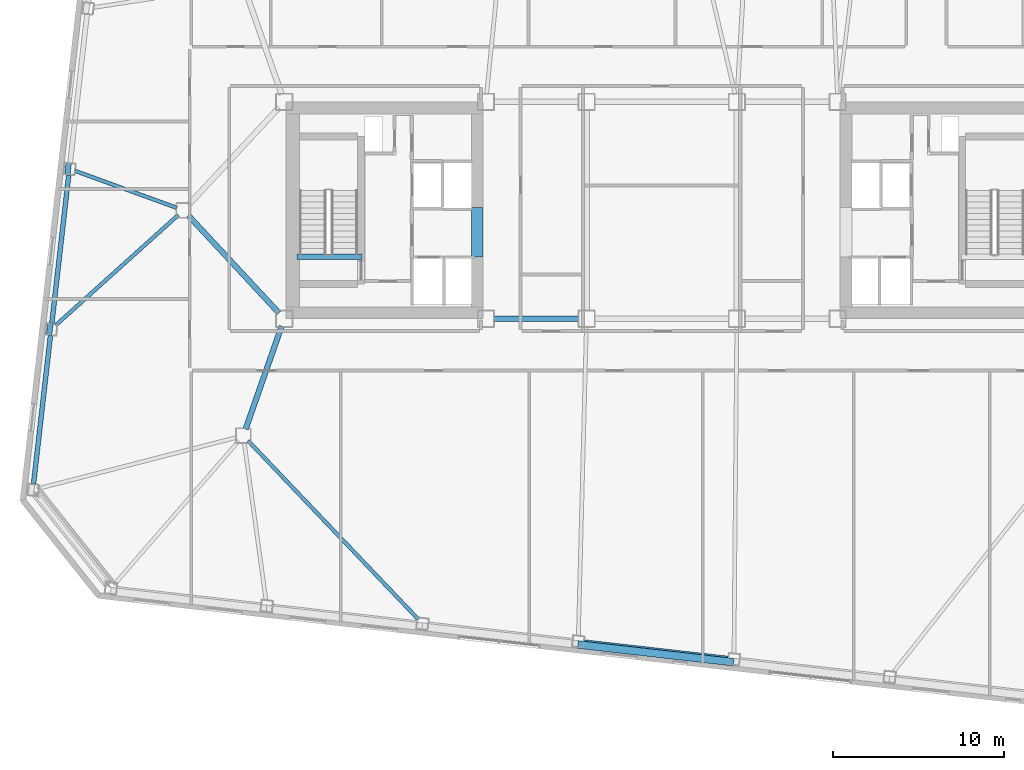
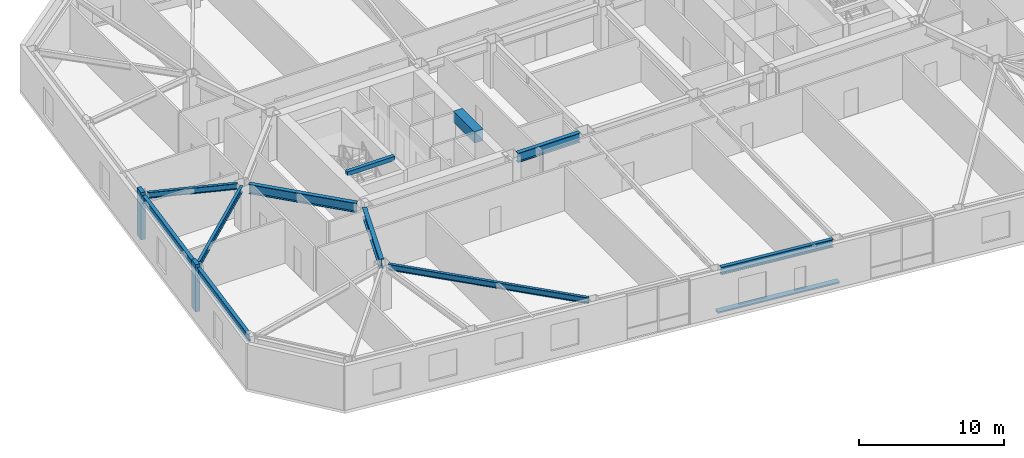
# One storey, part 5 of 21: 11 beams, 3 members.
"""IFC4 building model written with IfcOpenShell, lengths in metres."""

from ifc_helpers import new_model, si_unit, direction, frame, origin, origin_2d, place, context, subcontext, project, spatial, rectangle, i_section, extrude, material, material_profile, profile_set, type_object, element, save


model = new_model("IFC4")

# Units and contexts
model_context = context("Model", 3, precision=1e-05, world=origin(), true_north=direction((0.0, 1.0)))
body_context = subcontext(model_context, "Body", "Model", "MODEL_VIEW")
ifc_project = project(units=[si_unit("LENGTHUNIT", "METRE"), si_unit("AREAUNIT", "SQUARE_METRE"), si_unit("VOLUMEUNIT", "CUBIC_METRE"), si_unit("PLANEANGLEUNIT", "RADIAN"), si_unit("MASSUNIT", "GRAM", prefix="KILO")], contexts=[model_context])

# Site, building, storey
site_placement = place(None, origin())
site = spatial("IfcSite", under=ifc_project, at=site_placement, CompositionType="ELEMENT")
building_placement = place(site_placement, origin())
building = spatial("IfcBuilding", under=site, at=building_placement, Name="Tavrogorsk Clinical Tower", CompositionType="ELEMENT")
storey_placement = place(building_placement, frame((0.0, 0.0, 121.39990234375)))
storey = spatial("IfcBuildingStorey", under=building, at=storey_placement, Name="L27", CompositionType="ELEMENT", Elevation=121.39990234375)

# Member
ifc_material_1 = material(Name="Anodised aluminium alloy AW-6063", Category="aluminium")
ifc_material_profile_1 = material_profile(ifc_material_1, rectangle(XDim=0.449951171875, YDim=0.1201171875, at=origin_2d()), Name="ALU-SUNSHADE-450x120")
ifc_profile_set_1 = profile_set([ifc_material_profile_1], Name="Anodised aluminium alloy AW-6063")
member_type_1 = type_object("IfcMemberType", Name="ChicagoSunshade_450x120", PredefinedType="USERDEFINED", material=ifc_profile_set_1)
member_placement = place(storey_placement, frame((-4.909912109375, -25.42431640625, 0.18017578125), z_axis=(0.993572654864, -0.113196199166, 0.0), x_axis=(0.113196199166, 0.993572654864, 0.0)))
element("IfcMember", 1, at=member_placement, inside=storey, type_object=member_type_1, Name="L27 South Aluminium Sunshade S4", ObjectType="SUNSHADE", PredefinedType="USERDEFINED", context=body_context, shape_type="SweptSolid", body=[
    extrude(rectangle(XDim=0.449951171875, YDim=0.1201171875, at=origin_2d()), origin(), (0.0, 0.0, 1.0), 9.17724609375),
])

# Beams
ifc_material_2 = material(Name="Concrete B80", Category="concrete")
ifc_material_profile_2 = material_profile(ifc_material_2, rectangle(XDim=0.699951171875, YDim=0.949951171875, at=origin_2d()), Name="RC-CB-700x950")
ifc_profile_set_2 = profile_set([ifc_material_profile_2], Name="Concrete B80")
beam_type_1 = type_object("IfcBeamType", Name="CouplingBeam_RC700x950", PredefinedType="LINTEL", material=ifc_profile_set_2)
beam_1_placement = place(storey_placement, frame((-10.800048828125, -2.75, 3.26513671875), z_axis=(0.0, 1.0, 0.0), x_axis=(-1.0, 0.0, 0.0)))
element("IfcBeam", 2, at=beam_1_placement, inside=storey, type_object=beam_type_1, Name="L27 Core West Coupling Beam", PredefinedType="LINTEL", context=body_context, shape_type="SweptSolid", body=[
    extrude(rectangle(XDim=0.699951171875, YDim=0.949951171875, at=origin_2d()), origin(), (0.0, 0.0, 1.0), 2.89990234375),
])
ifc_material_3 = material(Name="Structural steel S355", Category="steel")
ifc_material_profile_3 = material_profile(ifc_material_3, i_section(OverallWidth=0.219970703125, OverallDepth=0.5, WebThickness=0.012939453125, FlangeThickness=0.02001953125, at=origin_2d()), Name="B-500x220x13x20")
ifc_profile_set_3 = profile_set([ifc_material_profile_3], Name="Structural steel S355")
beam_type_2 = type_object("IfcBeamType", Name="FloorBeam_B500", PredefinedType="BEAM", material=ifc_profile_set_3)
beam_2_placement = place(storey_placement, frame((-24.217041015625, -13.496826171875, 3.489990234375), z_axis=(0.689995410805, -0.723813741972, 0.0), x_axis=(0.723813741972, 0.689995410805, 0.0)))
element("IfcBeam", 3, at=beam_2_placement, inside=storey, type_object=beam_type_2, Name="L27 Radial Floor Beam S3", PredefinedType="BEAM", context=body_context, shape_type="SweptSolid", body=[
    extrude(i_section(OverallWidth=0.219970703125, OverallDepth=0.5, WebThickness=0.012939453125, FlangeThickness=0.02001953125, at=origin_2d()), origin(), (0.0, 0.0, 1.0), 14.4384765625),
])
beam_3_placement = place(storey_placement, frame((-28.385498046875, 0.139892578125, 3.489990234375), z_axis=(-0.939993443432, 0.341192506225, 0.0), x_axis=(-0.341192506225, -0.939993443432, 0.0)))
element("IfcBeam", 4, at=beam_3_placement, inside=storey, type_object=beam_type_2, Name="L27 Radial Floor Beam W3", PredefinedType="BEAM", context=body_context, shape_type="SweptSolid", body=[
    extrude(i_section(OverallWidth=0.219970703125, OverallDepth=0.5, WebThickness=0.012939453125, FlangeThickness=0.02001953125, at=origin_2d()), origin(), (0.0, 0.0, 1.0), 6.33837890625),
])
beam_4_placement = place(storey_placement, frame((-28.3046875, -0.274169921875, 3.489990234375), z_axis=(-0.743369550828, -0.668880939257, 0.0), x_axis=(0.668880939257, -0.743369550828, 0.0)))
element("IfcBeam", 5, at=beam_4_placement, inside=storey, type_object=beam_type_2, Name="L27 Radial Floor Beam W4", PredefinedType="BEAM", context=body_context, shape_type="SweptSolid", body=[
    extrude(i_section(OverallWidth=0.219970703125, OverallDepth=0.5, WebThickness=0.012939453125, FlangeThickness=0.02001953125, at=origin_2d()), origin(), (0.0, 0.0, 1.0), 9.658935546875),
])

# Members
ifc_material_4 = material(Name="Precast concrete B45 with limestone cladding", Category="masonry")
ifc_material_profile_4 = material_profile(ifc_material_4, rectangle(XDim=0.320068359375, YDim=0.719970703125, at=origin_2d()), Name="LIMESTONE-FIN-320x720")
ifc_profile_set_4 = profile_set([ifc_material_profile_4], Name="Precast concrete B45 with limestone cladding")
member_type_2 = type_object("IfcMemberType", Name="LimestonePleatFin_320x720", PredefinedType="USERDEFINED", material=ifc_profile_set_4)
for number, where, z_axis, x_axis, name in (
    (6, (-34.759521484375, 2.433837890625, 0.0), (0.0, 0.0, 1.0), (0.993571855677, -0.113203213768, 0.0), "L27 W Pleated Stone Fin 2"),
    (7, (-35.83056640625, -6.96533203125, 0.0), (0.0, 0.0, 1.0), (0.993571855677, -0.113203213768, 0.0), "L27 W Pleated Stone Fin 3"),
):
    element("IfcMember", number, at=place(storey_placement, frame(where, z_axis=z_axis, x_axis=x_axis)), inside=storey, type_object=member_type_2, Name=name, ObjectType="FIN", PredefinedType="USERDEFINED", context=body_context, shape_type="SweptSolid", body=[
        extrude(rectangle(XDim=0.320068359375, YDim=0.719970703125, at=origin_2d()), origin(), (0.0, 0.0, 1.0), 4.0),
    ])

# Beams
ifc_material_5 = material(Name="Structural steel S390", Category="steel")
ifc_material_profile_5 = material_profile(ifc_material_5, i_section(OverallWidth=0.320068359375, OverallDepth=0.800048828125, WebThickness=0.02001953125, FlangeThickness=0.033935546875, at=origin_2d()), Name="B-800x320x20x34")
ifc_profile_set_5 = profile_set([ifc_material_profile_5], Name="Structural steel S390")
beam_type_3 = type_object("IfcBeamType", Name="PrimaryGirder_B800", PredefinedType="USERDEFINED", material=ifc_profile_set_5)
beam_5_placement = place(storey_placement, frame((-9.840087890625, -6.35009765625, 3.340087890625), z_axis=(1.0, 0.0, 0.0), x_axis=(0.0, 1.0, 0.0)))
element("IfcBeam", 8, at=beam_5_placement, inside=storey, type_object=beam_type_3, Name="L27 Primary Spine Girder MG-01", ObjectType="GIRDER", PredefinedType="USERDEFINED", context=body_context, shape_type="SweptSolid", body=[
    extrude(i_section(OverallWidth=0.320068359375, OverallDepth=0.800048828125, WebThickness=0.02001953125, FlangeThickness=0.033935546875, at=origin_2d()), origin(), (0.0, 0.0, 1.0), 4.97998046875),
])
beam_6_placement = place(storey_placement, frame((-24.364501953125, -12.81298828125, 3.340087890625), z_axis=(0.330660234815, 0.943749865755, 0.0), x_axis=(-0.943749865755, 0.330660234815, 0.0)))
element("IfcBeam", 9, at=beam_6_placement, inside=storey, type_object=beam_type_3, Name="L27 Spine Link Girder OPG-1", ObjectType="GIRDER", PredefinedType="USERDEFINED", context=body_context, shape_type="SweptSolid", body=[
    extrude(i_section(OverallWidth=0.320068359375, OverallDepth=0.800048828125, WebThickness=0.02001953125, FlangeThickness=0.033935546875, at=origin_2d()), origin(), (0.0, 0.0, 1.0), 6.38818359375),
])
beam_7_placement = place(storey_placement, frame((-27.720947265625, -0.30029296875, 3.340087890625), z_axis=(0.680675630035, -0.732584934787, 0.0), x_axis=(0.732584934787, 0.680675630035, 0.0)))
element("IfcBeam", 10, at=beam_7_placement, inside=storey, type_object=beam_type_3, Name="L27 Spine Link Girder OPG-5", ObjectType="GIRDER", PredefinedType="USERDEFINED", context=body_context, shape_type="SweptSolid", body=[
    extrude(i_section(OverallWidth=0.320068359375, OverallDepth=0.800048828125, WebThickness=0.02001953125, FlangeThickness=0.033935546875, at=origin_2d()), origin(), (0.0, 0.0, 1.0), 7.7978515625),
])
ifc_material_6 = material(Name="Structural steel S390", Category="steel")
ifc_material_profile_6 = material_profile(ifc_material_6, i_section(OverallWidth=0.280029296875, OverallDepth=0.64990234375, WebThickness=0.01611328125, FlangeThickness=0.02490234375, at=origin_2d()), Name="B-650x280x16x25")
ifc_profile_set_6 = profile_set([ifc_material_profile_6], Name="Structural steel S390")
beam_type_4 = type_object("IfcBeamType", Name="SpandrelBeam_B650", PredefinedType="SPANDREL", material=ifc_profile_set_6)
beam_8_placement = place(storey_placement, frame((-4.533935546875, -25.2861328125, 3.4150390625), z_axis=(0.993572695356, -0.113195843756, 0.0), x_axis=(0.113195843756, 0.993572695356, 0.0)))
element("IfcBeam", 11, at=beam_8_placement, inside=storey, type_object=beam_type_4, Name="L27 Perimeter Spandrel S4-S5", PredefinedType="SPANDREL", context=body_context, shape_type="SweptSolid", body=[
    extrude(i_section(OverallWidth=0.280029296875, OverallDepth=0.64990234375, WebThickness=0.01611328125, FlangeThickness=0.02490234375, at=origin_2d()), origin(), (0.0, 0.0, 1.0), 8.461181640625),
])
for number, where, z_axis, x_axis, name in (
    (12, (-34.720703125, 2.069091796875, 3.4150390625), (-0.113192226434, -0.993573107464, 0.0), (0.993573107464, -0.113192226434, 0.0), "L27 Perimeter Spandrel W3-W4"),
    (13, (-35.79150390625, -7.330078125, 3.4150390625), (-0.113192226434, -0.993573107464, 0.0), (0.993573107464, -0.113192226434, 0.0), "L27 Perimeter Spandrel W4-W5"),
):
    element("IfcBeam", number, at=place(storey_placement, frame(where, z_axis=z_axis, x_axis=x_axis)), inside=storey, type_object=beam_type_4, Name=name, PredefinedType="SPANDREL", context=body_context, shape_type="SweptSolid", body=[
        extrude(i_section(OverallWidth=0.280029296875, OverallDepth=0.64990234375, WebThickness=0.01611328125, FlangeThickness=0.02490234375, at=origin_2d()), origin(), (0.0, 0.0, 1.0), 8.743896484375),
    ])
ifc_material_7 = material(Name="Concrete B60", Category="concrete")
ifc_material_profile_7 = material_profile(ifc_material_7, rectangle(XDim=0.300048828125, YDim=0.35009765625, at=origin_2d()), Name="RC-SHB-300x350")
ifc_profile_set_7 = profile_set([ifc_material_profile_7], Name="Concrete B60")
beam_type_5 = type_object("IfcBeamType", Name="StairHeaderBeam_RC300x350", PredefinedType="BEAM", material=ifc_profile_set_7)
beam_9_placement = place(storey_placement, frame((-21.35009765625, -2.719970703125, 3.8251953125), z_axis=(1.0, 0.0, 0.0), x_axis=(0.0, 1.0, 0.0)))
element("IfcBeam", 14, at=beam_9_placement, inside=storey, type_object=beam_type_5, Name="L28 ST-W Landing Header Beam", PredefinedType="BEAM", context=body_context, shape_type="SweptSolid", body=[
    extrude(rectangle(XDim=0.300048828125, YDim=0.35009765625, at=origin_2d()), origin(), (0.0, 0.0, 1.0), 3.800048828125),
])

save(model, "model.ifc")
